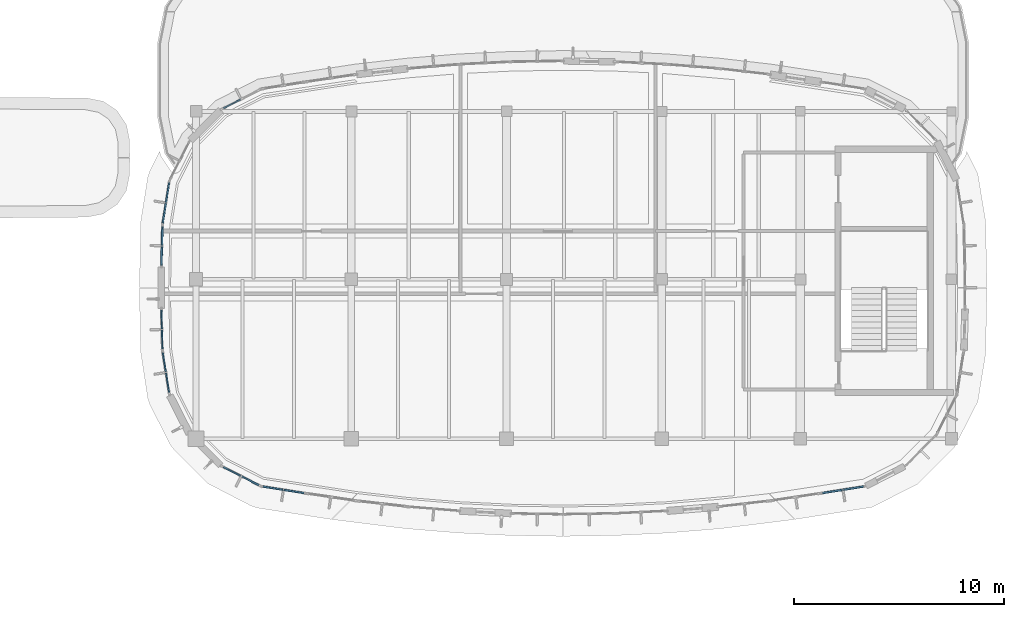
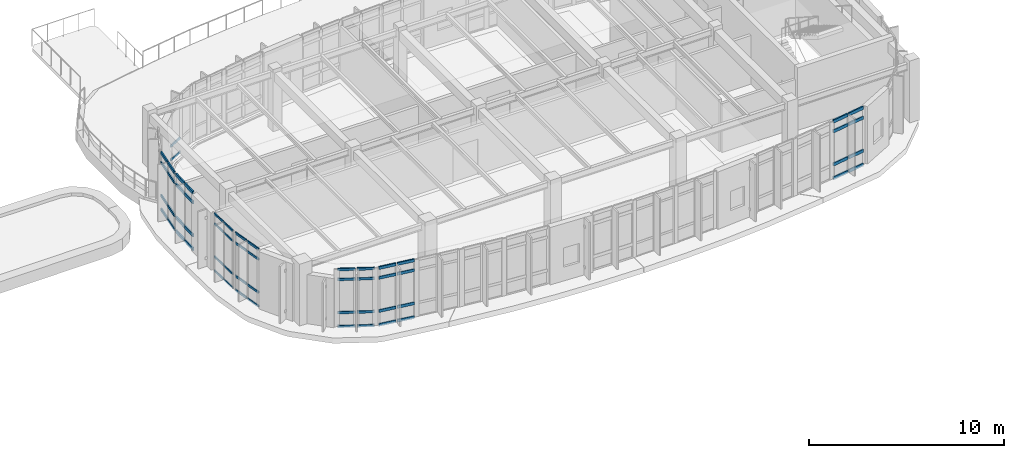
# One storey, part 57 of 111: 58 members, 8 elements without a shape of their own.
"""IFC4 building model written with IfcOpenShell, lengths in metres."""

from ifc_helpers import new_model, si_unit, direction, frame, origin, origin_2d, place, context, subcontext, project, spatial, rectangle, extrude, material, material_profile, profile_set, type_object, element, aggregate, save


model = new_model("IFC4")

# Units and contexts
model_context = context("Model", 3, precision=1e-05, world=origin(), true_north=direction((0.0, 1.0)))
body_context = subcontext(model_context, "Body", "Model", "MODEL_VIEW")
ifc_project = project(units=[si_unit("LENGTHUNIT", "METRE"), si_unit("AREAUNIT", "SQUARE_METRE"), si_unit("VOLUMEUNIT", "CUBIC_METRE"), si_unit("PLANEANGLEUNIT", "RADIAN"), si_unit("MASSUNIT", "GRAM", prefix="KILO")], contexts=[model_context])

# Site, building, storey
site_placement = place(None, origin())
site = spatial("IfcSite", under=ifc_project, at=site_placement, CompositionType="ELEMENT")
building_placement = place(site_placement, origin())
building = spatial("IfcBuilding", under=site, at=building_placement, Name="Corveleigh Park Community Centre", CompositionType="ELEMENT")
storey_placement = place(building_placement, frame((0.0, 0.0, 4.800048828125)))
storey = spatial("IfcBuildingStorey", under=building, at=storey_placement, Name="L01", CompositionType="ELEMENT", Elevation=4.800048828125)

# Curtain wall, members
ifc_material = material(Name="Anodised aluminium 6063-T6", Category="aluminium")
curtain_wall_type = type_object("IfcCurtainWallType", Name="CW-SYS-V3-UPP", PredefinedType="NOTDEFINED", material=ifc_material)
curtain_wall_1_placement = place(storey_placement, origin())
curtain_wall_1 = element("IfcCurtainWall", 1, at=curtain_wall_1_placement, inside=storey, type_object=curtain_wall_type, Name="V3 L01 Curtain Wall 256", PredefinedType="NOTDEFINED")
ifc_material_profile_1 = material_profile(ifc_material, rectangle(XDim=0.06005859375, YDim=0.1201171875, at=origin_2d()), Name="ALU-T60x120", Category="aluminium")
ifc_profile_set_1 = profile_set([ifc_material_profile_1], Name="Anodised aluminium 6063-T6")
member_type_1 = type_object("IfcMemberType", Name="CWT-60x120", PredefinedType="USERDEFINED", material=ifc_profile_set_1)
member_1_placement = place(storey_placement, frame((70.39794921875, 15.493896484375, 0.030029296875), z_axis=(-0.026262598484, 0.999655078475, 0.0), x_axis=(-0.999655078475, -0.026262598484, 0.0)))
member_1 = element("IfcMember", 2, at=member_1_placement, type_object=member_type_1, Name="CW06 transom 1.1", ObjectType="TRANSOM", PredefinedType="USERDEFINED", context=body_context, shape_type="SweptSolid", body=[
    extrude(rectangle(XDim=0.06005859375, YDim=0.1201171875, at=origin_2d()), origin(), (0.0, 0.0, 1.0), 0.873779296875),
])
member_2_placement = place(storey_placement, frame((70.39794921875, 15.493896484375, 0.89990234375), z_axis=(-0.026262598484, 0.999655078475, 0.0), x_axis=(-0.999655078475, -0.026262598484, 0.0)))
member_2 = element("IfcMember", 3, at=member_2_placement, type_object=member_type_1, Name="CW06 transom 1.2", ObjectType="TRANSOM", PredefinedType="USERDEFINED", context=body_context, shape_type="SweptSolid", body=[
    extrude(rectangle(XDim=0.06005859375, YDim=0.1201171875, at=origin_2d()), origin(), (0.0, 0.0, 1.0), 0.873779296875),
])
member_3_placement = place(storey_placement, frame((70.39794921875, 15.493896484375, 2.9619140625), z_axis=(-0.026262598484, 0.999655078475, 0.0), x_axis=(-0.999655078475, -0.026262598484, 0.0)))
member_3 = element("IfcMember", 4, at=member_3_placement, type_object=member_type_1, Name="CW06 transom 1.3", ObjectType="TRANSOM", PredefinedType="USERDEFINED", context=body_context, shape_type="SweptSolid", body=[
    extrude(rectangle(XDim=0.06005859375, YDim=0.1201171875, at=origin_2d()), origin(), (0.0, 0.0, 1.0), 0.873779296875),
])
member_4_placement = place(storey_placement, frame((70.39794921875, 15.493896484375, 3.58203125), z_axis=(-0.026262598484, 0.999655078475, 0.0), x_axis=(-0.999655078475, -0.026262598484, 0.0)))
member_4 = element("IfcMember", 5, at=member_4_placement, type_object=member_type_1, Name="CW06 transom 1.4", ObjectType="TRANSOM", PredefinedType="USERDEFINED", context=body_context, shape_type="SweptSolid", body=[
    extrude(rectangle(XDim=0.06005859375, YDim=0.1201171875, at=origin_2d()), origin(), (0.0, 0.0, 1.0), 0.873779296875),
])
member_5_placement = place(storey_placement, frame((70.373046875, 16.4423828125, 0.030029296875), z_axis=(-0.026262598484, 0.999655078475, 0.0), x_axis=(-0.999655078475, -0.026262598484, 0.0)))
member_5 = element("IfcMember", 6, at=member_5_placement, type_object=member_type_1, Name="CW06 transom 2.1", ObjectType="TRANSOM", PredefinedType="USERDEFINED", context=body_context, shape_type="SweptSolid", body=[
    extrude(rectangle(XDim=0.06005859375, YDim=0.1201171875, at=origin_2d()), origin(), (0.0, 0.0, 1.0), 0.873779296875),
])
member_6_placement = place(storey_placement, frame((70.373046875, 16.4423828125, 0.89990234375), z_axis=(-0.026262598484, 0.999655078475, 0.0), x_axis=(-0.999655078475, -0.026262598484, 0.0)))
member_6 = element("IfcMember", 7, at=member_6_placement, type_object=member_type_1, Name="CW06 transom 2.2", ObjectType="TRANSOM", PredefinedType="USERDEFINED", context=body_context, shape_type="SweptSolid", body=[
    extrude(rectangle(XDim=0.06005859375, YDim=0.1201171875, at=origin_2d()), origin(), (0.0, 0.0, 1.0), 0.873779296875),
])
member_7_placement = place(storey_placement, frame((70.373046875, 16.4423828125, 2.9619140625), z_axis=(-0.026262598484, 0.999655078475, 0.0), x_axis=(-0.999655078475, -0.026262598484, 0.0)))
member_7 = element("IfcMember", 8, at=member_7_placement, type_object=member_type_1, Name="CW06 transom 2.3", ObjectType="TRANSOM", PredefinedType="USERDEFINED", context=body_context, shape_type="SweptSolid", body=[
    extrude(rectangle(XDim=0.06005859375, YDim=0.1201171875, at=origin_2d()), origin(), (0.0, 0.0, 1.0), 0.873779296875),
])
member_8_placement = place(storey_placement, frame((70.373046875, 16.4423828125, 3.58203125), z_axis=(-0.026262598484, 0.999655078475, 0.0), x_axis=(-0.999655078475, -0.026262598484, 0.0)))
member_8 = element("IfcMember", 9, at=member_8_placement, type_object=member_type_1, Name="CW06 transom 2.4", ObjectType="TRANSOM", PredefinedType="USERDEFINED", context=body_context, shape_type="SweptSolid", body=[
    extrude(rectangle(XDim=0.06005859375, YDim=0.1201171875, at=origin_2d()), origin(), (0.0, 0.0, 1.0), 0.873779296875),
])
aggregate(curtain_wall_1, [member_1, member_2, member_3, member_4, member_5, member_6, member_7, member_8])

curtain_wall_2_placement = place(storey_placement, origin())
curtain_wall_2 = element("IfcCurtainWall", 10, at=curtain_wall_2_placement, inside=storey, type_object=curtain_wall_type, Name="V3 L01 Curtain Wall 252", PredefinedType="NOTDEFINED")
ifc_material_profile_2 = material_profile(ifc_material, rectangle(XDim=0.06494140625, YDim=0.139892578125, at=origin_2d()), Name="ALU-T65x140", Category="aluminium")
ifc_profile_set_2 = profile_set([ifc_material_profile_2], Name="Anodised aluminium 6063-T6")
member_type_2 = type_object("IfcMemberType", Name="CWT-65x140", PredefinedType="USERDEFINED", material=ifc_profile_set_2)
member_9_placement = place(storey_placement, frame((73.312744140625, 26.95654296875, 0.032470703125), z_axis=(0.890811258028, 0.454373527585, 0.0), x_axis=(-0.454373527585, 0.890811258028, 0.0)))
member_9 = element("IfcMember", 11, at=member_9_placement, type_object=member_type_2, Name="CW06 transom 1.1", ObjectType="TRANSOM", PredefinedType="USERDEFINED", context=body_context, shape_type="SweptSolid", body=[
    extrude(rectangle(XDim=0.06494140625, YDim=0.139892578125, at=origin_2d()), origin(), (0.0, 0.0, 1.0), 0.8984375),
])
member_10_placement = place(storey_placement, frame((73.312744140625, 26.95654296875, 0.89990234375), z_axis=(0.890811258028, 0.454373527585, 0.0), x_axis=(-0.454373527585, 0.890811258028, 0.0)))
member_10 = element("IfcMember", 12, at=member_10_placement, type_object=member_type_2, Name="CW06 transom 1.2", ObjectType="TRANSOM", PredefinedType="USERDEFINED", context=body_context, shape_type="SweptSolid", body=[
    extrude(rectangle(XDim=0.06494140625, YDim=0.139892578125, at=origin_2d()), origin(), (0.0, 0.0, 1.0), 0.8984375),
])
aggregate(curtain_wall_2, [member_9, member_10])

curtain_wall_3_placement = place(storey_placement, origin())
curtain_wall_3 = element("IfcCurtainWall", 13, at=curtain_wall_3_placement, inside=storey, type_object=curtain_wall_type, Name="V3 L01 Curtain Wall 257", PredefinedType="NOTDEFINED")
member_11_placement = place(storey_placement, frame((70.71435546875, 13.416015625, 0.032470703125), z_axis=(-0.156387391506, 0.987695795161, 0.0), x_axis=(-0.987695795161, -0.156387391506, 0.0)))
member_11 = element("IfcMember", 14, at=member_11_placement, type_object=member_type_2, Name="CW06 transom 1.1", ObjectType="TRANSOM", PredefinedType="USERDEFINED", context=body_context, shape_type="SweptSolid", body=[
    extrude(rectangle(XDim=0.06494140625, YDim=0.139892578125, at=origin_2d()), origin(), (0.0, 0.0, 1.0), 0.914794921875),
])
member_12_placement = place(storey_placement, frame((70.71435546875, 13.416015625, 0.89990234375), z_axis=(-0.156387391506, 0.987695795161, 0.0), x_axis=(-0.987695795161, -0.156387391506, 0.0)))
member_12 = element("IfcMember", 15, at=member_12_placement, type_object=member_type_2, Name="CW06 transom 1.2", ObjectType="TRANSOM", PredefinedType="USERDEFINED", context=body_context, shape_type="SweptSolid", body=[
    extrude(rectangle(XDim=0.06494140625, YDim=0.139892578125, at=origin_2d()), origin(), (0.0, 0.0, 1.0), 0.914794921875),
])
member_13_placement = place(storey_placement, frame((70.71435546875, 13.416015625, 2.969970703125), z_axis=(-0.156387391506, 0.987695795161, 0.0), x_axis=(-0.987695795161, -0.156387391506, 0.0)))
member_13 = element("IfcMember", 16, at=member_13_placement, type_object=member_type_2, Name="CW06 transom 1.3", ObjectType="TRANSOM", PredefinedType="USERDEFINED", context=body_context, shape_type="SweptSolid", body=[
    extrude(rectangle(XDim=0.06494140625, YDim=0.139892578125, at=origin_2d()), origin(), (0.0, 0.0, 1.0), 0.914794921875),
])
member_14_placement = place(storey_placement, frame((70.71435546875, 13.416015625, 3.58740234375), z_axis=(-0.156387391506, 0.987695795161, 0.0), x_axis=(-0.987695795161, -0.156387391506, 0.0)))
member_14 = element("IfcMember", 17, at=member_14_placement, type_object=member_type_2, Name="CW06 transom 1.4", ObjectType="TRANSOM", PredefinedType="USERDEFINED", context=body_context, shape_type="SweptSolid", body=[
    extrude(rectangle(XDim=0.06494140625, YDim=0.139892578125, at=origin_2d()), origin(), (0.0, 0.0, 1.0), 0.914794921875),
])
member_15_placement = place(storey_placement, frame((70.558837890625, 14.3984375, 0.032470703125), z_axis=(-0.156647720972, 0.987654540573, 0.0), x_axis=(-0.987654540573, -0.156647720972, 0.0)))
member_15 = element("IfcMember", 18, at=member_15_placement, type_object=member_type_2, Name="CW06 transom 2.1", ObjectType="TRANSOM", PredefinedType="USERDEFINED", context=body_context, shape_type="SweptSolid", body=[
    extrude(rectangle(XDim=0.06494140625, YDim=0.139892578125, at=origin_2d()), origin(), (0.0, 0.0, 1.0), 0.914794921875),
])
member_16_placement = place(storey_placement, frame((70.558837890625, 14.3984375, 0.89990234375), z_axis=(-0.156647720972, 0.987654540573, 0.0), x_axis=(-0.987654540573, -0.156647720972, 0.0)))
member_16 = element("IfcMember", 19, at=member_16_placement, type_object=member_type_2, Name="CW06 transom 2.2", ObjectType="TRANSOM", PredefinedType="USERDEFINED", context=body_context, shape_type="SweptSolid", body=[
    extrude(rectangle(XDim=0.06494140625, YDim=0.139892578125, at=origin_2d()), origin(), (0.0, 0.0, 1.0), 0.914794921875),
])
member_17_placement = place(storey_placement, frame((70.558837890625, 14.3984375, 2.969970703125), z_axis=(-0.156647720972, 0.987654540573, 0.0), x_axis=(-0.987654540573, -0.156647720972, 0.0)))
member_17 = element("IfcMember", 20, at=member_17_placement, type_object=member_type_2, Name="CW06 transom 2.3", ObjectType="TRANSOM", PredefinedType="USERDEFINED", context=body_context, shape_type="SweptSolid", body=[
    extrude(rectangle(XDim=0.06494140625, YDim=0.139892578125, at=origin_2d()), origin(), (0.0, 0.0, 1.0), 0.914794921875),
])
member_18_placement = place(storey_placement, frame((70.558837890625, 14.3984375, 3.58740234375), z_axis=(-0.156647720972, 0.987654540573, 0.0), x_axis=(-0.987654540573, -0.156647720972, 0.0)))
member_18 = element("IfcMember", 21, at=member_18_placement, type_object=member_type_2, Name="CW06 transom 2.4", ObjectType="TRANSOM", PredefinedType="USERDEFINED", context=body_context, shape_type="SweptSolid", body=[
    extrude(rectangle(XDim=0.06494140625, YDim=0.139892578125, at=origin_2d()), origin(), (0.0, 0.0, 1.0), 0.914794921875),
])
aggregate(curtain_wall_3, [member_11, member_12, member_13, member_14, member_15, member_16, member_17, member_18])

curtain_wall_4_placement = place(storey_placement, origin())
curtain_wall_4 = element("IfcCurtainWall", 22, at=curtain_wall_4_placement, inside=storey, type_object=curtain_wall_type, Name="V3 L01 Curtain Wall 258", PredefinedType="NOTDEFINED")
ifc_material_profile_3 = material_profile(ifc_material, rectangle(XDim=0.070068359375, YDim=0.155029296875, at=origin_2d()), Name="ALU-T70x155", Category="aluminium")
ifc_profile_set_3 = profile_set([ifc_material_profile_3], Name="Anodised aluminium 6063-T6")
member_type_3 = type_object("IfcMemberType", Name="CWT-70x155", PredefinedType="USERDEFINED", material=ifc_profile_set_3)
member_19_placement = place(storey_placement, frame((74.9892578125, 8.988525390625, 0.034912109375), z_axis=(-0.890811258028, 0.454373527585, 0.0), x_axis=(-0.454373527585, -0.890811258028, 0.0)))
member_19 = element("IfcMember", 23, at=member_19_placement, type_object=member_type_3, Name="CW06 transom 1.1", ObjectType="TRANSOM", PredefinedType="USERDEFINED", context=body_context, shape_type="SweptSolid", body=[
    extrude(rectangle(XDim=0.070068359375, YDim=0.155029296875, at=origin_2d()), origin(), (0.0, 0.0, 1.0), 0.8984375),
])
member_20_placement = place(storey_placement, frame((74.9892578125, 8.988525390625, 0.89990234375), z_axis=(-0.890811258028, 0.454373527585, 0.0), x_axis=(-0.454373527585, -0.890811258028, 0.0)))
member_20 = element("IfcMember", 24, at=member_20_placement, type_object=member_type_3, Name="CW06 transom 1.2", ObjectType="TRANSOM", PredefinedType="USERDEFINED", context=body_context, shape_type="SweptSolid", body=[
    extrude(rectangle(XDim=0.070068359375, YDim=0.155029296875, at=origin_2d()), origin(), (0.0, 0.0, 1.0), 0.8984375),
])
member_21_placement = place(storey_placement, frame((74.9892578125, 8.988525390625, 2.969970703125), z_axis=(-0.890811258028, 0.454373527585, 0.0), x_axis=(-0.454373527585, -0.890811258028, 0.0)))
member_21 = element("IfcMember", 25, at=member_21_placement, type_object=member_type_3, Name="CW06 transom 1.3", ObjectType="TRANSOM", PredefinedType="USERDEFINED", context=body_context, shape_type="SweptSolid", body=[
    extrude(rectangle(XDim=0.070068359375, YDim=0.155029296875, at=origin_2d()), origin(), (0.0, 0.0, 1.0), 0.8984375),
])
member_22_placement = place(storey_placement, frame((74.9892578125, 8.988525390625, 3.5849609375), z_axis=(-0.890811258028, 0.454373527585, 0.0), x_axis=(-0.454373527585, -0.890811258028, 0.0)))
member_22 = element("IfcMember", 26, at=member_22_placement, type_object=member_type_3, Name="CW06 transom 1.4", ObjectType="TRANSOM", PredefinedType="USERDEFINED", context=body_context, shape_type="SweptSolid", body=[
    extrude(rectangle(XDim=0.070068359375, YDim=0.155029296875, at=origin_2d()), origin(), (0.0, 0.0, 1.0), 0.8984375),
])
member_23_placement = place(storey_placement, frame((74.113037109375, 9.435302734375, 0.034912109375), z_axis=(-0.890811258028, 0.454373527585, 0.0), x_axis=(-0.454373527585, -0.890811258028, 0.0)))
member_23 = element("IfcMember", 27, at=member_23_placement, type_object=member_type_3, Name="CW06 transom 2.1", ObjectType="TRANSOM", PredefinedType="USERDEFINED", context=body_context, shape_type="SweptSolid", body=[
    extrude(rectangle(XDim=0.070068359375, YDim=0.155029296875, at=origin_2d()), origin(), (0.0, 0.0, 1.0), 0.8984375),
])
member_24_placement = place(storey_placement, frame((74.113037109375, 9.435302734375, 0.89990234375), z_axis=(-0.890811258028, 0.454373527585, 0.0), x_axis=(-0.454373527585, -0.890811258028, 0.0)))
member_24 = element("IfcMember", 28, at=member_24_placement, type_object=member_type_3, Name="CW06 transom 2.2", ObjectType="TRANSOM", PredefinedType="USERDEFINED", context=body_context, shape_type="SweptSolid", body=[
    extrude(rectangle(XDim=0.070068359375, YDim=0.155029296875, at=origin_2d()), origin(), (0.0, 0.0, 1.0), 0.8984375),
])
member_25_placement = place(storey_placement, frame((74.113037109375, 9.435302734375, 2.969970703125), z_axis=(-0.890811258028, 0.454373527585, 0.0), x_axis=(-0.454373527585, -0.890811258028, 0.0)))
member_25 = element("IfcMember", 29, at=member_25_placement, type_object=member_type_3, Name="CW06 transom 2.3", ObjectType="TRANSOM", PredefinedType="USERDEFINED", context=body_context, shape_type="SweptSolid", body=[
    extrude(rectangle(XDim=0.070068359375, YDim=0.155029296875, at=origin_2d()), origin(), (0.0, 0.0, 1.0), 0.8984375),
])
member_26_placement = place(storey_placement, frame((74.113037109375, 9.435302734375, 3.5849609375), z_axis=(-0.890811258028, 0.454373527585, 0.0), x_axis=(-0.454373527585, -0.890811258028, 0.0)))
member_26 = element("IfcMember", 30, at=member_26_placement, type_object=member_type_3, Name="CW06 transom 2.4", ObjectType="TRANSOM", PredefinedType="USERDEFINED", context=body_context, shape_type="SweptSolid", body=[
    extrude(rectangle(XDim=0.070068359375, YDim=0.155029296875, at=origin_2d()), origin(), (0.0, 0.0, 1.0), 0.8984375),
])
aggregate(curtain_wall_4, [member_19, member_20, member_21, member_22, member_23, member_24, member_25, member_26])

curtain_wall_5_placement = place(storey_placement, origin())
curtain_wall_5 = element("IfcCurtainWall", 31, at=curtain_wall_5_placement, inside=storey, type_object=curtain_wall_type, Name="V3 L01 Curtain Wall 254", PredefinedType="NOTDEFINED")
ifc_material_profile_4 = material_profile(ifc_material, rectangle(XDim=0.074951171875, YDim=0.175048828125, at=origin_2d()), Name="ALU-T75x175", Category="aluminium")
ifc_profile_set_4 = profile_set([ifc_material_profile_4], Name="Anodised aluminium 6063-T6")
member_type_4 = type_object("IfcMemberType", Name="CWT-75x175", PredefinedType="USERDEFINED", material=ifc_profile_set_4)
member_27_placement = place(storey_placement, frame((70.4130859375, 21.483154296875, 0.037353515625), z_axis=(0.156537675339, 0.987671988162, 0.0), x_axis=(-0.987671988162, 0.156537675339, 0.0)))
member_27 = element("IfcMember", 32, at=member_27_placement, type_object=member_type_4, Name="CW06 transom 1.1", ObjectType="TRANSOM", PredefinedType="USERDEFINED", context=body_context, shape_type="SweptSolid", body=[
    extrude(rectangle(XDim=0.074951171875, YDim=0.175048828125, at=origin_2d()), origin(), (0.0, 0.0, 1.0), 0.937255859375),
])
member_28_placement = place(storey_placement, frame((70.4130859375, 21.483154296875, 0.89990234375), z_axis=(0.156537675339, 0.987671988162, 0.0), x_axis=(-0.987671988162, 0.156537675339, 0.0)))
member_28 = element("IfcMember", 33, at=member_28_placement, type_object=member_type_4, Name="CW06 transom 1.2", ObjectType="TRANSOM", PredefinedType="USERDEFINED", context=body_context, shape_type="SweptSolid", body=[
    extrude(rectangle(XDim=0.074951171875, YDim=0.175048828125, at=origin_2d()), origin(), (0.0, 0.0, 1.0), 0.937255859375),
])
member_29_placement = place(storey_placement, frame((70.4130859375, 21.483154296875, 2.9619140625), z_axis=(0.156537675339, 0.987671988162, 0.0), x_axis=(-0.987671988162, 0.156537675339, 0.0)))
member_29 = element("IfcMember", 34, at=member_29_placement, type_object=member_type_4, Name="CW06 transom 1.3", ObjectType="TRANSOM", PredefinedType="USERDEFINED", context=body_context, shape_type="SweptSolid", body=[
    extrude(rectangle(XDim=0.074951171875, YDim=0.175048828125, at=origin_2d()), origin(), (0.0, 0.0, 1.0), 0.937255859375),
])
member_30_placement = place(storey_placement, frame((70.4130859375, 21.483154296875, 3.574462890625), z_axis=(0.156537675339, 0.987671988162, 0.0), x_axis=(-0.987671988162, 0.156537675339, 0.0)))
member_30 = element("IfcMember", 35, at=member_30_placement, type_object=member_type_4, Name="CW06 transom 1.4", ObjectType="TRANSOM", PredefinedType="USERDEFINED", context=body_context, shape_type="SweptSolid", body=[
    extrude(rectangle(XDim=0.074951171875, YDim=0.175048828125, at=origin_2d()), origin(), (0.0, 0.0, 1.0), 0.937255859375),
])
member_31_placement = place(storey_placement, frame((70.570068359375, 22.47314453125, 0.037353515625), z_axis=(0.156577955051, 0.987665603325, 0.0), x_axis=(-0.987665603325, 0.156577955051, 0.0)))
member_31 = element("IfcMember", 36, at=member_31_placement, type_object=member_type_4, Name="CW06 transom 2.1", ObjectType="TRANSOM", PredefinedType="USERDEFINED", context=body_context, shape_type="SweptSolid", body=[
    extrude(rectangle(XDim=0.074951171875, YDim=0.175048828125, at=origin_2d()), origin(), (0.0, 0.0, 1.0), 0.93701171875),
])
member_32_placement = place(storey_placement, frame((70.570068359375, 22.47314453125, 0.89990234375), z_axis=(0.156577955051, 0.987665603325, 0.0), x_axis=(-0.987665603325, 0.156577955051, 0.0)))
member_32 = element("IfcMember", 37, at=member_32_placement, type_object=member_type_4, Name="CW06 transom 2.2", ObjectType="TRANSOM", PredefinedType="USERDEFINED", context=body_context, shape_type="SweptSolid", body=[
    extrude(rectangle(XDim=0.074951171875, YDim=0.175048828125, at=origin_2d()), origin(), (0.0, 0.0, 1.0), 0.93701171875),
])
member_33_placement = place(storey_placement, frame((70.570068359375, 22.47314453125, 2.9619140625), z_axis=(0.156577955051, 0.987665603325, 0.0), x_axis=(-0.987665603325, 0.156577955051, 0.0)))
member_33 = element("IfcMember", 38, at=member_33_placement, type_object=member_type_4, Name="CW06 transom 2.3", ObjectType="TRANSOM", PredefinedType="USERDEFINED", context=body_context, shape_type="SweptSolid", body=[
    extrude(rectangle(XDim=0.074951171875, YDim=0.175048828125, at=origin_2d()), origin(), (0.0, 0.0, 1.0), 0.93701171875),
])
member_34_placement = place(storey_placement, frame((70.570068359375, 22.47314453125, 3.574462890625), z_axis=(0.156577955051, 0.987665603325, 0.0), x_axis=(-0.987665603325, 0.156577955051, 0.0)))
member_34 = element("IfcMember", 39, at=member_34_placement, type_object=member_type_4, Name="CW06 transom 2.4", ObjectType="TRANSOM", PredefinedType="USERDEFINED", context=body_context, shape_type="SweptSolid", body=[
    extrude(rectangle(XDim=0.074951171875, YDim=0.175048828125, at=origin_2d()), origin(), (0.0, 0.0, 1.0), 0.93701171875),
])
aggregate(curtain_wall_5, [member_27, member_28, member_29, member_30, member_31, member_32, member_33, member_34])

curtain_wall_6_placement = place(storey_placement, origin())
curtain_wall_6 = element("IfcCurtainWall", 40, at=curtain_wall_6_placement, inside=storey, type_object=curtain_wall_type, Name="V3 L01 Curtain Wall 259", PredefinedType="NOTDEFINED")
member_35_placement = place(storey_placement, frame((77.1337890625, 8.6103515625, 0.037353515625), z_axis=(-0.987660753839, 0.15660854168, 0.0), x_axis=(-0.15660854168, -0.987660753839, 0.0)))
member_35 = element("IfcMember", 41, at=member_35_placement, type_object=member_type_4, Name="CW06 transom 1.1", ObjectType="TRANSOM", PredefinedType="USERDEFINED", context=body_context, shape_type="SweptSolid", body=[
    extrude(rectangle(XDim=0.074951171875, YDim=0.175048828125, at=origin_2d()), origin(), (0.0, 0.0, 1.0), 0.950927734375),
])
member_36_placement = place(storey_placement, frame((77.1337890625, 8.6103515625, 0.89990234375), z_axis=(-0.987660753839, 0.15660854168, 0.0), x_axis=(-0.15660854168, -0.987660753839, 0.0)))
member_36 = element("IfcMember", 42, at=member_36_placement, type_object=member_type_4, Name="CW06 transom 1.2", ObjectType="TRANSOM", PredefinedType="USERDEFINED", context=body_context, shape_type="SweptSolid", body=[
    extrude(rectangle(XDim=0.074951171875, YDim=0.175048828125, at=origin_2d()), origin(), (0.0, 0.0, 1.0), 0.950927734375),
])
member_37_placement = place(storey_placement, frame((77.1337890625, 8.6103515625, 2.969970703125), z_axis=(-0.987660753839, 0.15660854168, 0.0), x_axis=(-0.15660854168, -0.987660753839, 0.0)))
member_37 = element("IfcMember", 43, at=member_37_placement, type_object=member_type_4, Name="CW06 transom 1.3", ObjectType="TRANSOM", PredefinedType="USERDEFINED", context=body_context, shape_type="SweptSolid", body=[
    extrude(rectangle(XDim=0.074951171875, YDim=0.175048828125, at=origin_2d()), origin(), (0.0, 0.0, 1.0), 0.950927734375),
])
member_38_placement = place(storey_placement, frame((77.1337890625, 8.6103515625, 3.58251953125), z_axis=(-0.987660753839, 0.15660854168, 0.0), x_axis=(-0.15660854168, -0.987660753839, 0.0)))
member_38 = element("IfcMember", 44, at=member_38_placement, type_object=member_type_4, Name="CW06 transom 1.4", ObjectType="TRANSOM", PredefinedType="USERDEFINED", context=body_context, shape_type="SweptSolid", body=[
    extrude(rectangle(XDim=0.074951171875, YDim=0.175048828125, at=origin_2d()), origin(), (0.0, 0.0, 1.0), 0.950927734375),
])
member_39_placement = place(storey_placement, frame((76.13525390625, 8.768798828125, 0.037353515625), z_axis=(-0.987654454692, 0.156648262445, 0.0), x_axis=(-0.156648262445, -0.987654454692, 0.0)))
member_39 = element("IfcMember", 45, at=member_39_placement, type_object=member_type_4, Name="CW06 transom 2.1", ObjectType="TRANSOM", PredefinedType="USERDEFINED", context=body_context, shape_type="SweptSolid", body=[
    extrude(rectangle(XDim=0.074951171875, YDim=0.175048828125, at=origin_2d()), origin(), (0.0, 0.0, 1.0), 0.95068359375),
])
member_40_placement = place(storey_placement, frame((76.13525390625, 8.768798828125, 0.89990234375), z_axis=(-0.987654454692, 0.156648262445, 0.0), x_axis=(-0.156648262445, -0.987654454692, 0.0)))
member_40 = element("IfcMember", 46, at=member_40_placement, type_object=member_type_4, Name="CW06 transom 2.2", ObjectType="TRANSOM", PredefinedType="USERDEFINED", context=body_context, shape_type="SweptSolid", body=[
    extrude(rectangle(XDim=0.074951171875, YDim=0.175048828125, at=origin_2d()), origin(), (0.0, 0.0, 1.0), 0.95068359375),
])
member_41_placement = place(storey_placement, frame((76.13525390625, 8.768798828125, 2.969970703125), z_axis=(-0.987654454692, 0.156648262445, 0.0), x_axis=(-0.156648262445, -0.987654454692, 0.0)))
member_41 = element("IfcMember", 47, at=member_41_placement, type_object=member_type_4, Name="CW06 transom 2.3", ObjectType="TRANSOM", PredefinedType="USERDEFINED", context=body_context, shape_type="SweptSolid", body=[
    extrude(rectangle(XDim=0.074951171875, YDim=0.175048828125, at=origin_2d()), origin(), (0.0, 0.0, 1.0), 0.95068359375),
])
member_42_placement = place(storey_placement, frame((76.13525390625, 8.768798828125, 3.58251953125), z_axis=(-0.987654454692, 0.156648262445, 0.0), x_axis=(-0.156648262445, -0.987654454692, 0.0)))
member_42 = element("IfcMember", 48, at=member_42_placement, type_object=member_type_4, Name="CW06 transom 2.4", ObjectType="TRANSOM", PredefinedType="USERDEFINED", context=body_context, shape_type="SweptSolid", body=[
    extrude(rectangle(XDim=0.074951171875, YDim=0.175048828125, at=origin_2d()), origin(), (0.0, 0.0, 1.0), 0.95068359375),
])
aggregate(curtain_wall_6, [member_35, member_36, member_37, member_38, member_39, member_40, member_41, member_42])

curtain_wall_7_placement = place(storey_placement, origin())
curtain_wall_7 = element("IfcCurtainWall", 49, at=curtain_wall_7_placement, inside=storey, type_object=curtain_wall_type, Name="V3 L01 Curtain Wall 235", PredefinedType="NOTDEFINED")
ifc_material_profile_5 = material_profile(ifc_material, rectangle(XDim=0.080078125, YDim=0.195068359375, at=origin_2d()), Name="ALU-T80x195", Category="aluminium")
ifc_profile_set_5 = profile_set([ifc_material_profile_5], Name="Anodised aluminium 6063-T6")
member_type_5 = type_object("IfcMemberType", Name="CWT-80x195", PredefinedType="USERDEFINED", material=ifc_profile_set_5)
member_43_placement = place(storey_placement, frame((103.8037109375, 8.917724609375, 0.0400390625), z_axis=(-0.987654454692, -0.156648262445, 0.0), x_axis=(0.156648262445, -0.987654454692, 0.0)))
member_43 = element("IfcMember", 50, at=member_43_placement, type_object=member_type_5, Name="CW06 transom 1.1", ObjectType="TRANSOM", PredefinedType="USERDEFINED", context=body_context, shape_type="SweptSolid", body=[
    extrude(rectangle(XDim=0.080078125, YDim=0.195068359375, at=origin_2d()), origin(), (0.0, 0.0, 1.0), 0.95068359375),
])
member_44_placement = place(storey_placement, frame((103.8037109375, 8.917724609375, 0.89990234375), z_axis=(-0.987654454692, -0.156648262445, 0.0), x_axis=(0.156648262445, -0.987654454692, 0.0)))
member_44 = element("IfcMember", 51, at=member_44_placement, type_object=member_type_5, Name="CW06 transom 1.2", ObjectType="TRANSOM", PredefinedType="USERDEFINED", context=body_context, shape_type="SweptSolid", body=[
    extrude(rectangle(XDim=0.080078125, YDim=0.195068359375, at=origin_2d()), origin(), (0.0, 0.0, 1.0), 0.95068359375),
])
member_45_placement = place(storey_placement, frame((103.8037109375, 8.917724609375, 2.969970703125), z_axis=(-0.987654454692, -0.156648262445, 0.0), x_axis=(0.156648262445, -0.987654454692, 0.0)))
member_45 = element("IfcMember", 52, at=member_45_placement, type_object=member_type_5, Name="CW06 transom 1.3", ObjectType="TRANSOM", PredefinedType="USERDEFINED", context=body_context, shape_type="SweptSolid", body=[
    extrude(rectangle(XDim=0.080078125, YDim=0.195068359375, at=origin_2d()), origin(), (0.0, 0.0, 1.0), 0.95068359375),
])
member_46_placement = place(storey_placement, frame((103.8037109375, 8.917724609375, 3.579833984375), z_axis=(-0.987654454692, -0.156648262445, 0.0), x_axis=(0.156648262445, -0.987654454692, 0.0)))
member_46 = element("IfcMember", 53, at=member_46_placement, type_object=member_type_5, Name="CW06 transom 1.4", ObjectType="TRANSOM", PredefinedType="USERDEFINED", context=body_context, shape_type="SweptSolid", body=[
    extrude(rectangle(XDim=0.080078125, YDim=0.195068359375, at=origin_2d()), origin(), (0.0, 0.0, 1.0), 0.95068359375),
])
member_47_placement = place(storey_placement, frame((102.805419921875, 8.75927734375, 0.0400390625), z_axis=(-0.987660753839, -0.15660854168, 0.0), x_axis=(0.15660854168, -0.987660753839, 0.0)))
member_47 = element("IfcMember", 54, at=member_47_placement, type_object=member_type_5, Name="CW06 transom 2.1", ObjectType="TRANSOM", PredefinedType="USERDEFINED", context=body_context, shape_type="SweptSolid", body=[
    extrude(rectangle(XDim=0.080078125, YDim=0.195068359375, at=origin_2d()), origin(), (0.0, 0.0, 1.0), 0.950927734375),
])
member_48_placement = place(storey_placement, frame((102.805419921875, 8.75927734375, 0.89990234375), z_axis=(-0.987660753839, -0.15660854168, 0.0), x_axis=(0.15660854168, -0.987660753839, 0.0)))
member_48 = element("IfcMember", 55, at=member_48_placement, type_object=member_type_5, Name="CW06 transom 2.2", ObjectType="TRANSOM", PredefinedType="USERDEFINED", context=body_context, shape_type="SweptSolid", body=[
    extrude(rectangle(XDim=0.080078125, YDim=0.195068359375, at=origin_2d()), origin(), (0.0, 0.0, 1.0), 0.950927734375),
])
member_49_placement = place(storey_placement, frame((102.805419921875, 8.75927734375, 2.969970703125), z_axis=(-0.987660753839, -0.15660854168, 0.0), x_axis=(0.15660854168, -0.987660753839, 0.0)))
member_49 = element("IfcMember", 56, at=member_49_placement, type_object=member_type_5, Name="CW06 transom 2.3", ObjectType="TRANSOM", PredefinedType="USERDEFINED", context=body_context, shape_type="SweptSolid", body=[
    extrude(rectangle(XDim=0.080078125, YDim=0.195068359375, at=origin_2d()), origin(), (0.0, 0.0, 1.0), 0.950927734375),
])
member_50_placement = place(storey_placement, frame((102.805419921875, 8.75927734375, 3.579833984375), z_axis=(-0.987660753839, -0.15660854168, 0.0), x_axis=(0.15660854168, -0.987660753839, 0.0)))
member_50 = element("IfcMember", 57, at=member_50_placement, type_object=member_type_5, Name="CW06 transom 2.4", ObjectType="TRANSOM", PredefinedType="USERDEFINED", context=body_context, shape_type="SweptSolid", body=[
    extrude(rectangle(XDim=0.080078125, YDim=0.195068359375, at=origin_2d()), origin(), (0.0, 0.0, 1.0), 0.950927734375),
])
aggregate(curtain_wall_7, [member_43, member_44, member_45, member_46, member_47, member_48, member_49, member_50])

curtain_wall_8_placement = place(storey_placement, origin())
curtain_wall_8 = element("IfcCurtainWall", 58, at=curtain_wall_8_placement, inside=storey, type_object=curtain_wall_type, Name="V3 L01 Curtain Wall 255", PredefinedType="NOTDEFINED")
member_51_placement = place(storey_placement, frame((70.349853515625, 19.47900390625, 0.0400390625), z_axis=(0.02631396623, 0.999653727638, 0.0), x_axis=(-0.999653727638, 0.02631396623, 0.0)))
member_51 = element("IfcMember", 59, at=member_51_placement, type_object=member_type_5, Name="CW06 transom 1.1", ObjectType="TRANSOM", PredefinedType="USERDEFINED", context=body_context, shape_type="SweptSolid", body=[
    extrude(rectangle(XDim=0.080078125, YDim=0.195068359375, at=origin_2d()), origin(), (0.0, 0.0, 1.0), 0.88134765625),
])
member_52_placement = place(storey_placement, frame((70.349853515625, 19.47900390625, 0.89990234375), z_axis=(0.02631396623, 0.999653727638, 0.0), x_axis=(-0.999653727638, 0.02631396623, 0.0)))
member_52 = element("IfcMember", 60, at=member_52_placement, type_object=member_type_5, Name="CW06 transom 1.2", ObjectType="TRANSOM", PredefinedType="USERDEFINED", context=body_context, shape_type="SweptSolid", body=[
    extrude(rectangle(XDim=0.080078125, YDim=0.195068359375, at=origin_2d()), origin(), (0.0, 0.0, 1.0), 0.88134765625),
])
member_53_placement = place(storey_placement, frame((70.349853515625, 19.47900390625, 2.9619140625), z_axis=(0.02631396623, 0.999653727638, 0.0), x_axis=(-0.999653727638, 0.02631396623, 0.0)))
member_53 = element("IfcMember", 61, at=member_53_placement, type_object=member_type_5, Name="CW06 transom 1.3", ObjectType="TRANSOM", PredefinedType="USERDEFINED", context=body_context, shape_type="SweptSolid", body=[
    extrude(rectangle(XDim=0.080078125, YDim=0.195068359375, at=origin_2d()), origin(), (0.0, 0.0, 1.0), 0.88134765625),
])
member_54_placement = place(storey_placement, frame((70.349853515625, 19.47900390625, 3.572021484375), z_axis=(0.02631396623, 0.999653727638, 0.0), x_axis=(-0.999653727638, 0.02631396623, 0.0)))
member_54 = element("IfcMember", 62, at=member_54_placement, type_object=member_type_5, Name="CW06 transom 1.4", ObjectType="TRANSOM", PredefinedType="USERDEFINED", context=body_context, shape_type="SweptSolid", body=[
    extrude(rectangle(XDim=0.080078125, YDim=0.195068359375, at=origin_2d()), origin(), (0.0, 0.0, 1.0), 0.88134765625),
])
member_55_placement = place(storey_placement, frame((70.375, 20.429931640625, 0.0400390625), z_axis=(0.02631396623, 0.999653727638, 0.0), x_axis=(-0.999653727638, 0.02631396623, 0.0)))
member_55 = element("IfcMember", 63, at=member_55_placement, type_object=member_type_5, Name="CW06 transom 2.1", ObjectType="TRANSOM", PredefinedType="USERDEFINED", context=body_context, shape_type="SweptSolid", body=[
    extrude(rectangle(XDim=0.080078125, YDim=0.195068359375, at=origin_2d()), origin(), (0.0, 0.0, 1.0), 0.88134765625),
])
member_56_placement = place(storey_placement, frame((70.375, 20.429931640625, 0.89990234375), z_axis=(0.02631396623, 0.999653727638, 0.0), x_axis=(-0.999653727638, 0.02631396623, 0.0)))
member_56 = element("IfcMember", 64, at=member_56_placement, type_object=member_type_5, Name="CW06 transom 2.2", ObjectType="TRANSOM", PredefinedType="USERDEFINED", context=body_context, shape_type="SweptSolid", body=[
    extrude(rectangle(XDim=0.080078125, YDim=0.195068359375, at=origin_2d()), origin(), (0.0, 0.0, 1.0), 0.88134765625),
])
member_57_placement = place(storey_placement, frame((70.375, 20.429931640625, 2.9619140625), z_axis=(0.02631396623, 0.999653727638, 0.0), x_axis=(-0.999653727638, 0.02631396623, 0.0)))
member_57 = element("IfcMember", 65, at=member_57_placement, type_object=member_type_5, Name="CW06 transom 2.3", ObjectType="TRANSOM", PredefinedType="USERDEFINED", context=body_context, shape_type="SweptSolid", body=[
    extrude(rectangle(XDim=0.080078125, YDim=0.195068359375, at=origin_2d()), origin(), (0.0, 0.0, 1.0), 0.88134765625),
])
member_58_placement = place(storey_placement, frame((70.375, 20.429931640625, 3.572021484375), z_axis=(0.02631396623, 0.999653727638, 0.0), x_axis=(-0.999653727638, 0.02631396623, 0.0)))
member_58 = element("IfcMember", 66, at=member_58_placement, type_object=member_type_5, Name="CW06 transom 2.4", ObjectType="TRANSOM", PredefinedType="USERDEFINED", context=body_context, shape_type="SweptSolid", body=[
    extrude(rectangle(XDim=0.080078125, YDim=0.195068359375, at=origin_2d()), origin(), (0.0, 0.0, 1.0), 0.88134765625),
])
aggregate(curtain_wall_8, [member_51, member_52, member_53, member_54, member_55, member_56, member_57, member_58])

save(model, "model.ifc")
